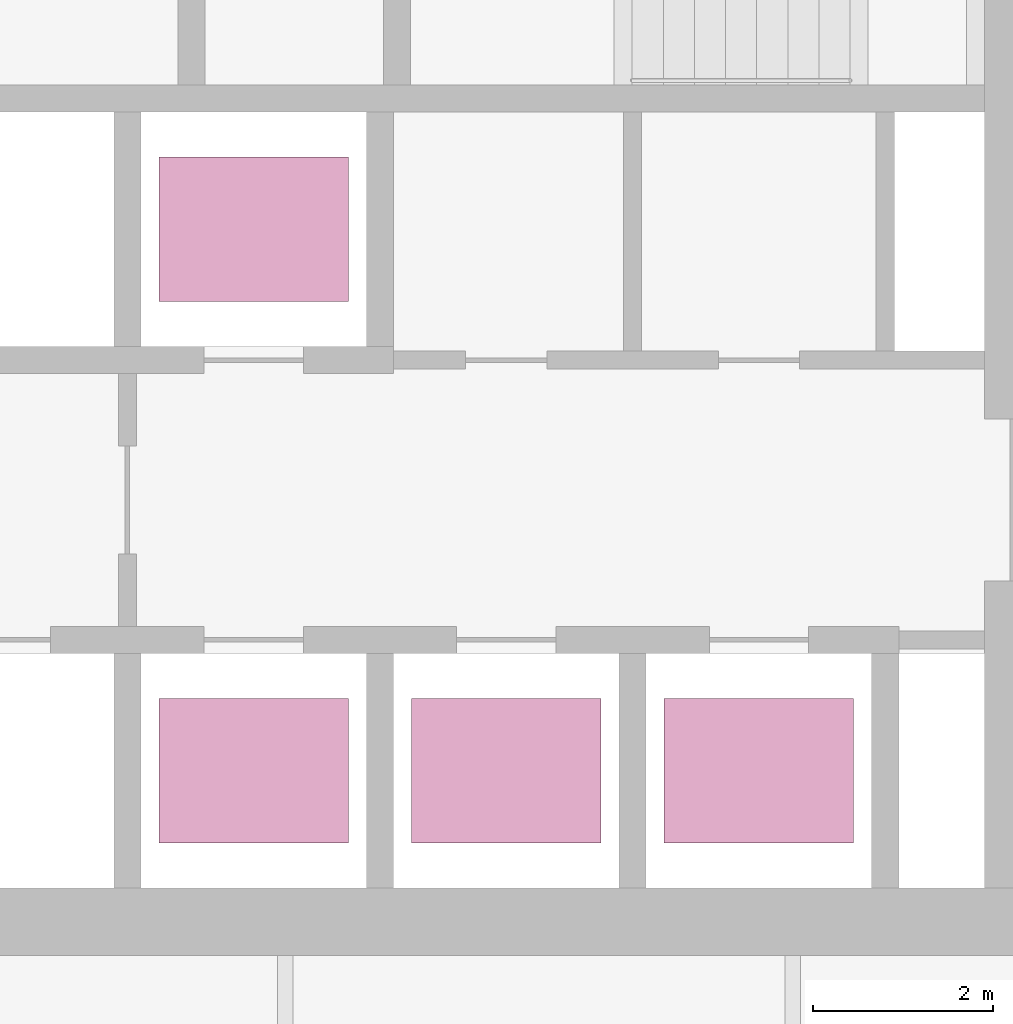
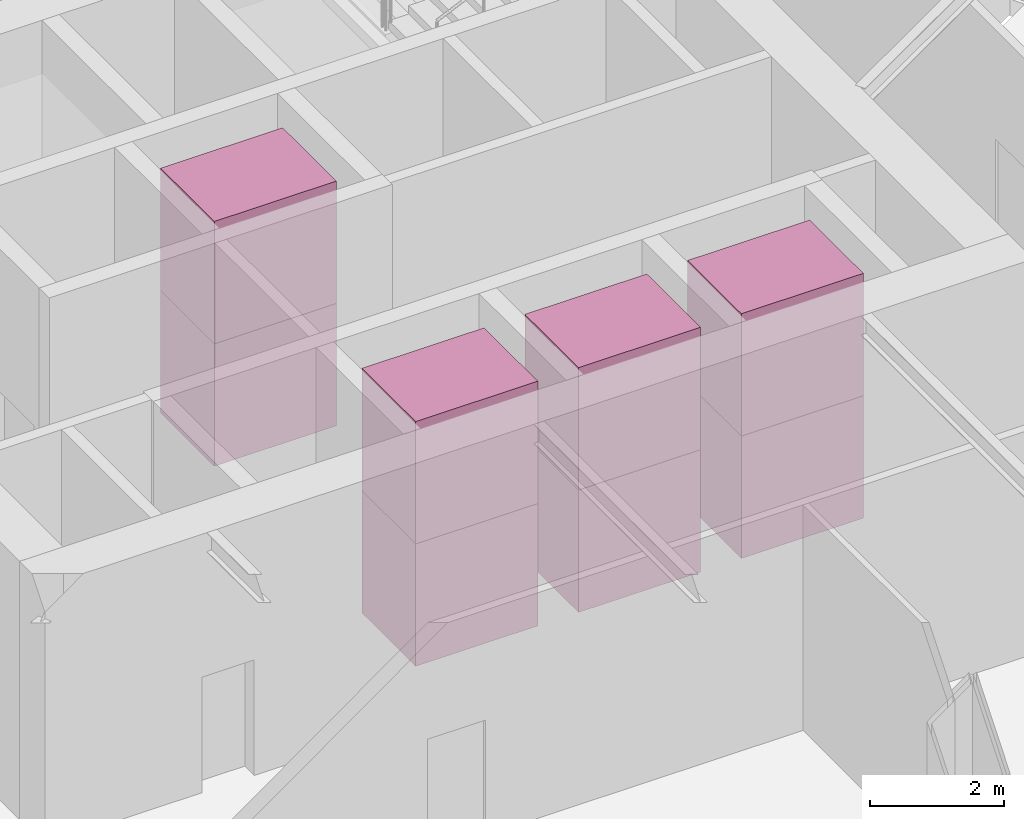
# One storey, part 17 of 17: 8 transport elements.
"""IFC4 building model written with IfcOpenShell, lengths in metres."""

from ifc_helpers import new_model, si_unit, direction, frame, origin, origin_2d, place, context, subcontext, project, spatial, rectangle, extrude, material, type_object, element, save


model = new_model("IFC4")

# Units and contexts
model_context = context("Model", 3, precision=1e-05, world=origin(), true_north=direction((0.0, 1.0)))
body_context = subcontext(model_context, "Body", "Model", "MODEL_VIEW")
ifc_project = project(units=[si_unit("LENGTHUNIT", "METRE"), si_unit("AREAUNIT", "SQUARE_METRE"), si_unit("VOLUMEUNIT", "CUBIC_METRE"), si_unit("PLANEANGLEUNIT", "RADIAN"), si_unit("MASSUNIT", "GRAM", prefix="KILO")], contexts=[model_context])

# Site, building, storey
site_placement = place(None, origin())
site = spatial("IfcSite", under=ifc_project, at=site_placement, CompositionType="ELEMENT")
building_placement = place(site_placement, origin())
building = spatial("IfcBuilding", under=site, at=building_placement, Name="Firuza Gate Tower and Library", CompositionType="ELEMENT")
storey_placement = place(building_placement, frame((0.0, 0.0, 326.60009765625)))
storey = spatial("IfcBuildingStorey", under=building, at=storey_placement, Name="L80", CompositionType="ELEMENT", Elevation=326.60009765625)

# Transport elements
ifc_material = material(Name="Stainless steel and glass", Category="steel")
transport_element_type = type_object("IfcTransportElementType", Name="High-rise lift car 2100x1600", PredefinedType="ELEVATOR", material=ifc_material)
for number, where, z_axis, x_axis, name in (
    (1, (74.64990234375, 70.300048828125, -0.000244140625), (0.0, 0.0, 1.0), (1.0, 0.0, 0.0), "High-rise lift HR1"),
    (2, (74.64990234375, 70.300048828125, 2.224853515625), (0.0, 0.0, 1.0), (1.0, 0.0, 0.0), "High-rise lift HR1"),
    (3, (77.449951171875, 70.300048828125, -0.000244140625), (0.0, 0.0, 1.0), (1.0, 0.0, 0.0), "High-rise lift HR2"),
    (4, (77.449951171875, 70.300048828125, 2.224853515625), (0.0, 0.0, 1.0), (1.0, 0.0, 0.0), "High-rise lift HR2"),
    (5, (80.25, 70.300048828125, -0.000244140625), (0.0, 0.0, 1.0), (1.0, 0.0, 0.0), "High-rise lift HR3"),
    (6, (80.25, 70.300048828125, 2.224853515625), (0.0, 0.0, 1.0), (1.0, 0.0, 0.0), "High-rise lift HR3"),
    (7, (74.64990234375, 76.300048828125, -0.000244140625), (0.0, 0.0, 1.0), (1.0, 0.0, 0.0), "High-rise lift HR4"),
    (8, (74.64990234375, 76.300048828125, 2.224853515625), (0.0, 0.0, 1.0), (1.0, 0.0, 0.0), "High-rise lift HR4"),
):
    element("IfcTransportElement", number, at=place(storey_placement, frame(where, z_axis=z_axis, x_axis=x_axis)), inside=storey, type_object=transport_element_type, Name=name, PredefinedType="ELEVATOR", context=body_context, shape_type="SweptSolid", body=[
        extrude(rectangle(XDim=2.10009765625, YDim=1.60009765625, at=origin_2d()), origin(), (0.0, 0.0, 1.0), 2.22509765625),
    ])

save(model, "model.ifc")
